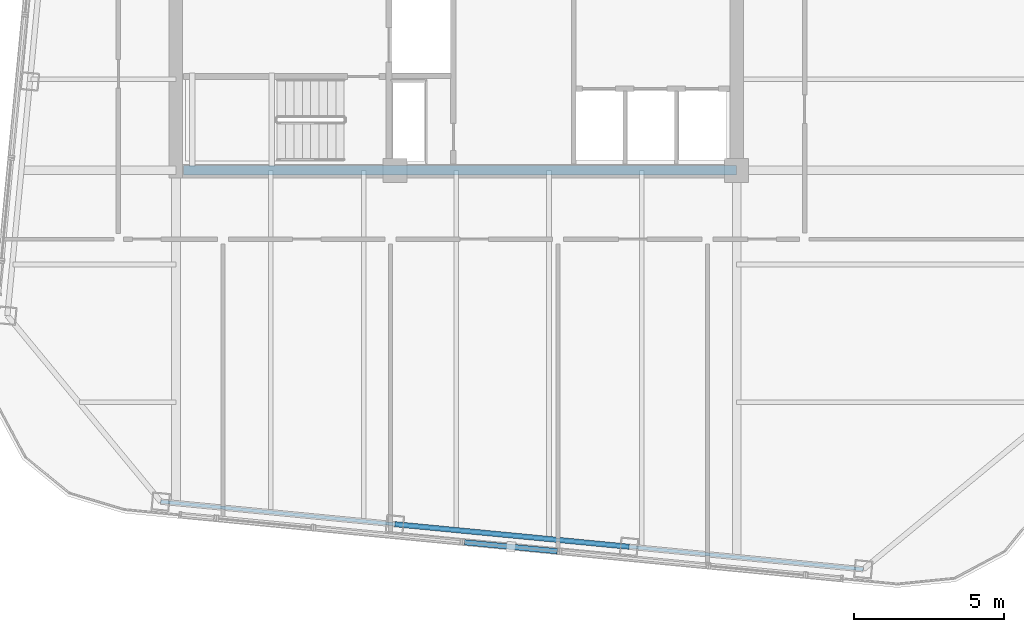
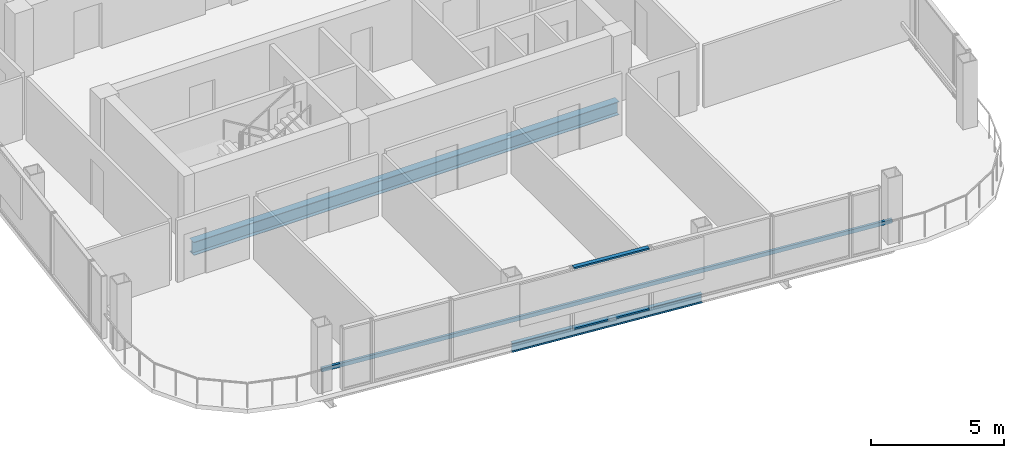
# One storey, part 4 of 27: 3 members, 2 beams, 1 element without a shape of its own.
"""IFC4 building model written with IfcOpenShell, lengths in metres."""

from ifc_helpers import new_model, si_unit, direction, frame, origin, origin_2d, place, context, subcontext, project, spatial, hollow_rectangle, i_section, extrude, material, layer, layer_set, material_profile, profile_set, type_object, element, aggregate, save


model = new_model("IFC4")

# Units and contexts
model_context = context("Model", 3, precision=1e-05, world=origin(), true_north=direction((0.0, 1.0)))
body_context = subcontext(model_context, "Body", "Model", "MODEL_VIEW")
ifc_project = project(units=[si_unit("LENGTHUNIT", "METRE"), si_unit("AREAUNIT", "SQUARE_METRE"), si_unit("VOLUMEUNIT", "CUBIC_METRE"), si_unit("PLANEANGLEUNIT", "RADIAN"), si_unit("MASSUNIT", "GRAM", prefix="KILO")], contexts=[model_context])

# Site, building, storey
site_placement = place(None, origin())
site = spatial("IfcSite", under=ifc_project, at=site_placement, CompositionType="ELEMENT")
building_placement = place(site_placement, origin())
building = spatial("IfcBuilding", under=site, at=building_placement, Name="Qhalaya Broadcast Tower", CompositionType="ELEMENT")
storey_placement = place(building_placement, frame((0.0, 0.0, 258.10009765625)))
storey = spatial("IfcBuildingStorey", under=building, at=storey_placement, Name="L76", CompositionType="ELEMENT", Elevation=258.10009765625)

# Beam
ifc_material_1 = material(Name="Structural Steel ASTM A992 Grade 50", Category="steel")
ifc_material_profile_1 = material_profile(ifc_material_1, i_section(OverallWidth=0.323974609375, OverallDepth=0.612060546875, WebThickness=0.0126953125, FlangeThickness=0.01904296875, at=origin_2d()), Name="W24X104")
ifc_profile_set_1 = profile_set([ifc_material_profile_1], Name="Structural Steel ASTM A992 Grade 50")
beam_type_1 = type_object("IfcBeamType", Name="Core Frame Tie Beam B04", PredefinedType="BEAM", material=ifc_profile_set_1)
beam_1_placement = place(storey_placement, frame((-9.1201171875, -8.75, -0.49609375), z_axis=(1.0, 0.0, 0.0), x_axis=(0.0, 1.0, 0.0)))
element("IfcBeam", 1, at=beam_1_placement, inside=storey, type_object=beam_type_1, Name="L76 B04 L76-CCS3", PredefinedType="BEAM", context=body_context, shape_type="SweptSolid", body=[
    extrude(i_section(OverallWidth=0.323974609375, OverallDepth=0.612060546875, WebThickness=0.0126953125, FlangeThickness=0.01904296875, at=origin_2d()), origin(), (0.0, 0.0, 1.0), 18.4951171875),
])

# Member
ifc_material_2 = material(Name="Fired Architectural Terracotta", Category="masonry")
ifc_material_profile_2 = material_profile(ifc_material_2, hollow_rectangle(XDim=0.110107421875, YDim=0.179931640625, WallThickness=0.01806640625, at=origin_2d()), Name="TB-BAG 110x180x18")
ifc_profile_set_2 = profile_set([ifc_material_profile_2], Name="Fired Architectural Terracotta")
member_type_1 = type_object("IfcMemberType", Name="Fired Terracotta Facade Baguette Member TB1", PredefinedType="USERDEFINED", material=ifc_profile_set_2)
member_1_placement = place(storey_placement, frame((-9.883056640625, -19.82861328125, 0.85791015625), z_axis=(0.995397213397, -0.095835210452, 0.0), x_axis=(0.095835210452, 0.995397213397, 0.0)))
element("IfcMember", 2, at=member_1_placement, inside=storey, type_object=member_type_1, Name="L76 Terracotta Baguette Feature Rail S", ObjectType="BAGUETTE", PredefinedType="USERDEFINED", context=body_context, shape_type="SweptSolid", body=[
    extrude(hollow_rectangle(XDim=0.110107421875, YDim=0.179931640625, WallThickness=0.01806640625, at=origin_2d()), origin(), (0.0, 0.0, 1.0), 23.60009765625),
])

# Curtain wall, members
ifc_material_3 = material(Name="Solar-Control Low-E Triple Glazing", Category="glass")
ifc_layer = layer(ifc_material_3, 0.219970703125, Name="Solar-Control Low-E Triple Glazing")
ifc_layer_set = layer_set([ifc_layer], Name="Solar-Control Low-E Triple Glazing")
curtain_wall_type = type_object("IfcCurtainWallType", Name="High-Altitude Upper-Shaft Triple Low-E Curtain Wall CW-04", PredefinedType="NOTDEFINED", material=ifc_layer_set)
curtain_wall_placement = place(storey_placement, origin())
curtain_wall = element("IfcCurtainWall", 3, at=curtain_wall_placement, inside=storey, type_object=curtain_wall_type, Name="L76 Unitised Curtain Wall L76-CW-S4", PredefinedType="NOTDEFINED")
ifc_material_4 = material(Name="Anodised Aluminium 6063-T6", Category="aluminium")
ifc_material_profile_3 = material_profile(ifc_material_4, hollow_rectangle(XDim=0.074951171875, YDim=0.179931640625, WallThickness=0.00390625, at=origin_2d()), Name="ALU-TRN 75x180x4")
ifc_profile_set_3 = profile_set([ifc_material_profile_3], Name="Anodised Aluminium 6063-T6")
member_type_2 = type_object("IfcMemberType", Name="Unitised Curtain-Wall Transom T01", PredefinedType="USERDEFINED", material=ifc_profile_set_3)
member_2_placement = place(storey_placement, frame((0.275390625, -21.1884765625, 0.037353515625), z_axis=(0.995398112341, -0.095825873063, 0.0), x_axis=(0.0, 0.0, 1.0)))
member_2 = element("IfcMember", 4, at=member_2_placement, type_object=member_type_2, Name="CW-04 transom 1.1", ObjectType="TRANSOM", PredefinedType="USERDEFINED", context=body_context, shape_type="SweptSolid", body=[
    extrude(hollow_rectangle(XDim=0.074951171875, YDim=0.179931640625, WallThickness=0.00390625, at=origin_2d()), origin(), (0.0, 0.0, 1.0), 3.115966796875),
])
member_3_placement = place(storey_placement, frame((0.275390625, -21.1884765625, 2.822509765625), z_axis=(0.995398112341, -0.095825873063, 0.0), x_axis=(0.0, 0.0, 1.0)))
member_3 = element("IfcMember", 5, at=member_3_placement, type_object=member_type_2, Name="CW-04 transom 1.2", ObjectType="TRANSOM", PredefinedType="USERDEFINED", context=body_context, shape_type="SweptSolid", body=[
    extrude(hollow_rectangle(XDim=0.074951171875, YDim=0.179931640625, WallThickness=0.00390625, at=origin_2d()), origin(), (0.0, 0.0, 1.0), 3.115966796875),
])
aggregate(curtain_wall, [member_2, member_3])

# Beam
ifc_material_profile_4 = material_profile(ifc_material_1, i_section(OverallWidth=0.177978515625, OverallDepth=0.406005859375, WebThickness=0.0078125, FlangeThickness=0.0126953125, at=origin_2d()), Name="W16X40")
ifc_profile_set_4 = profile_set([ifc_material_profile_4], Name="Structural Steel ASTM A992 Grade 50")
beam_type_2 = type_object("IfcBeamType", Name="Upper Perimeter Spandrel Beam SP2", PredefinedType="SPANDREL", material=ifc_profile_set_4)
beam_2_placement = place(storey_placement, frame((-2.052490234375, -20.58251953125, -0.39306640625), z_axis=(0.995397023367, -0.095837184179, 0.0), x_axis=(0.095837184179, 0.995397023367, 0.0)))
element("IfcBeam", 6, at=beam_2_placement, inside=storey, type_object=beam_type_2, Name="L76 SP2 L76-SPR-02", PredefinedType="SPANDREL", context=body_context, shape_type="SweptSolid", body=[
    extrude(i_section(OverallWidth=0.177978515625, OverallDepth=0.406005859375, WebThickness=0.0078125, FlangeThickness=0.0126953125, at=origin_2d()), origin(), (0.0, 0.0, 1.0), 7.866455078125),
])

save(model, "model.ifc")
